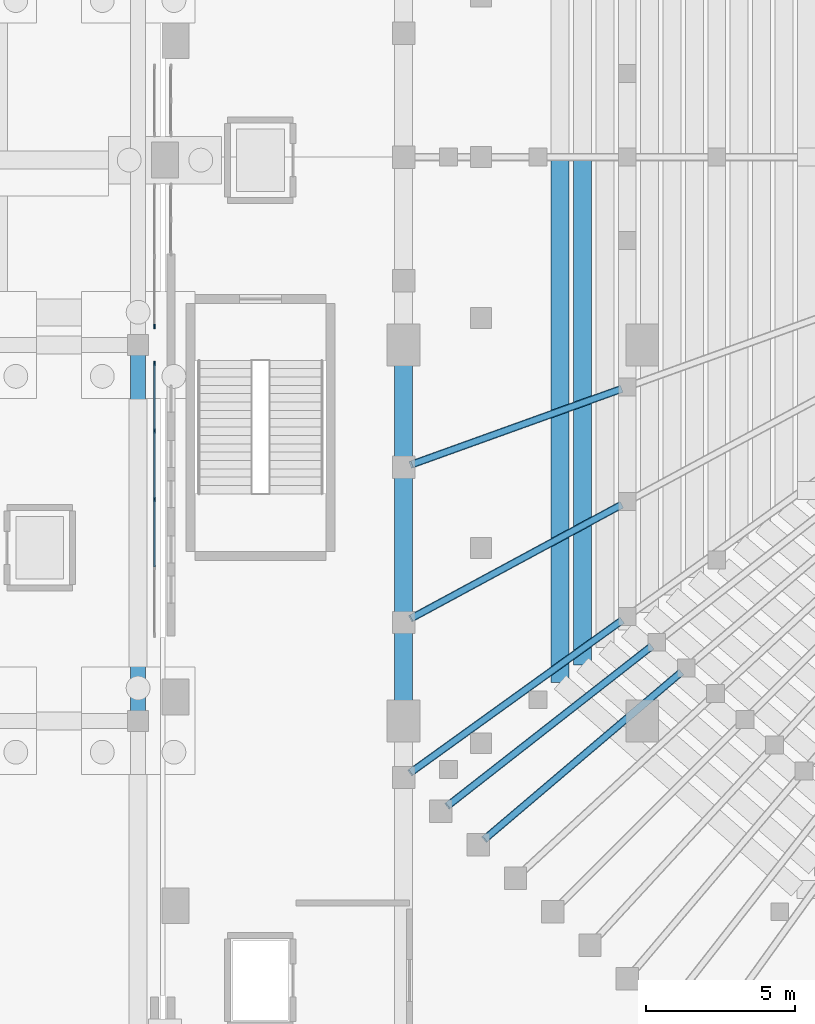
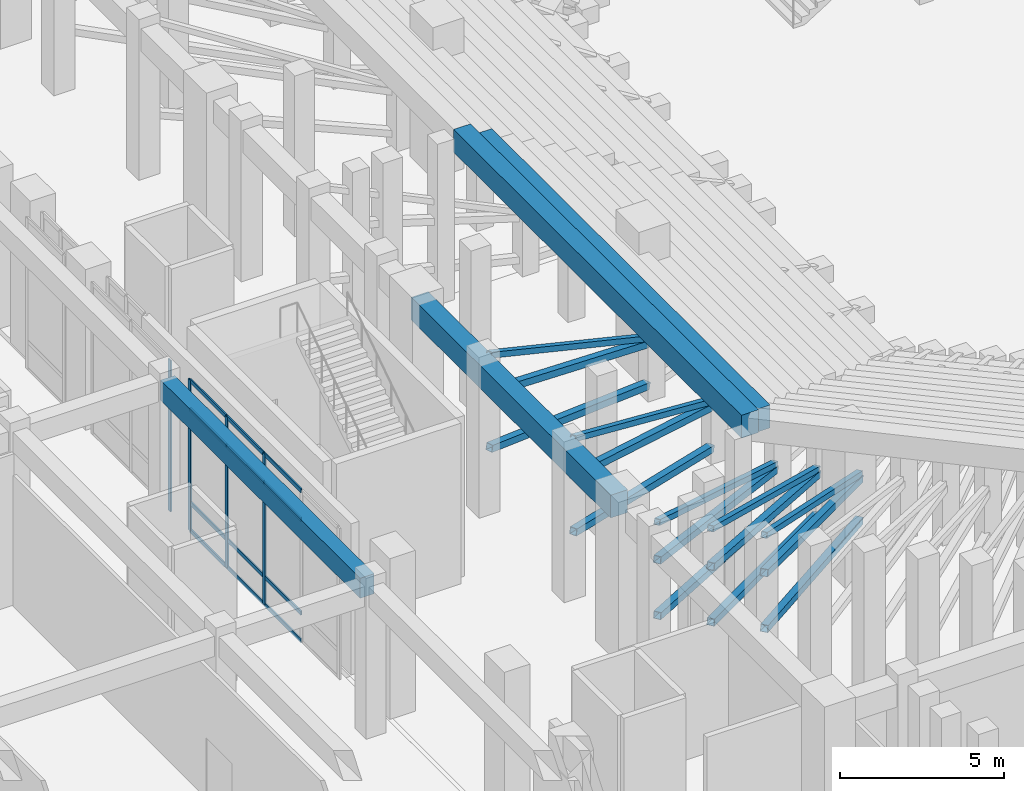
# One storey, part 30 of 143: 31 members, 4 beams, 2 elements without a shape of their own.
"""IFC4 building model written with IfcOpenShell, lengths in metres."""

from ifc_helpers import new_model, si_unit, derived_unit, direction, frame, origin, origin_2d, place, context, subcontext, project, spatial, rectangle, hollow_rectangle, extrude, material, layer, layer_set, material_profile, profile_set, type_object, element, aggregate, save


model = new_model("IFC4")

# Units and contexts
model_context = context("Model", 3, precision=1e-05, world=origin(), true_north=direction((0.0, 1.0)))
body_context = subcontext(model_context, "Body", "Model", "MODEL_VIEW")
ifc_project = project(units=[si_unit("LENGTHUNIT", "METRE"), si_unit("AREAUNIT", "SQUARE_METRE"), si_unit("VOLUMEUNIT", "CUBIC_METRE"), si_unit("PLANEANGLEUNIT", "RADIAN"), si_unit("MASSUNIT", "GRAM", prefix="KILO"), derived_unit("THERMALTRANSMITTANCEUNIT", [(si_unit("MASSUNIT", "GRAM", prefix="KILO"), 1), (si_unit("TIMEUNIT", "SECOND"), -3), (si_unit("THERMODYNAMICTEMPERATUREUNIT", "KELVIN"), -1)])], contexts=[model_context])

# Site, building, storey
site_placement = place(None, origin())
site = spatial("IfcSite", under=ifc_project, at=site_placement, CompositionType="ELEMENT")
building_placement = place(site_placement, origin())
building = spatial("IfcBuilding", under=site, at=building_placement, Name="Valcora Ridge Arena", CompositionType="ELEMENT")
storey_placement = place(building_placement, origin())
storey = spatial("IfcBuildingStorey", under=building, at=storey_placement, Name="L00", CompositionType="ELEMENT", Elevation=0.0)

# Beams
ifc_material_1 = material(Name="Concrete C40/50", Category="concrete")
ifc_material_profile_1 = material_profile(ifc_material_1, rectangle(XDim=0.5, YDim=0.75, at=origin_2d()), Name="RC 500x750")
ifc_profile_set_1 = profile_set([ifc_material_profile_1], Name="Concrete C40/50")
beam_type_1 = type_object("IfcBeamType", Name="TY-BEAM-B-RC500-Y", PredefinedType="BEAM", material=ifc_profile_set_1)
beam_1_placement = place(storey_placement, frame((15.10009765625, 45.39990234375, 5.264892578125), z_axis=(0.0, 1.0, 0.0), x_axis=(-1.0, 0.0, 0.0)))
element("IfcBeam", 1, at=beam_1_placement, inside=storey, type_object=beam_type_1, Name="B-RC500-Y BEM-B-RC500-Y-0020", PredefinedType="BEAM", context=body_context, shape_type="SweptSolid", body=[
    extrude(rectangle(XDim=0.5, YDim=0.75, at=origin_2d()), origin(), (0.0, 0.0, 1.0), 12.2001953125),
])
ifc_material_profile_2 = material_profile(ifc_material_1, rectangle(XDim=0.60009765625, YDim=0.85009765625, at=origin_2d()), Name="RC 600x850")
ifc_profile_set_2 = profile_set([ifc_material_profile_2], Name="Concrete C40/50")
beam_type_2 = type_object("IfcBeamType", Name="TY-BEAM-B-RC600-X", PredefinedType="BEAM", material=ifc_profile_set_2)
beam_2_placement = place(storey_placement, frame((30.0, 64.10009765625, 5.2548828125), z_axis=(0.0, -1.0, 0.0), x_axis=(1.0, 0.0, 0.0)))
element("IfcBeam", 2, at=beam_2_placement, inside=storey, type_object=beam_type_2, Name="B-RC600-X BEM-R2-B-RC600-X-0143", PredefinedType="BEAM", context=body_context, shape_type="SweptSolid", body=[
    extrude(rectangle(XDim=0.60009765625, YDim=0.85009765625, at=origin_2d()), origin(), (0.0, 0.0, 1.0), 17.02001953125),
])
beam_3_placement = place(storey_placement, frame((29.25, 64.10009765625, 5.695068359375), z_axis=(0.0, -1.0, 0.0), x_axis=(1.0, 0.0, 0.0)))
element("IfcBeam", 3, at=beam_3_placement, inside=storey, type_object=beam_type_2, Name="B-RC600-X BEM-R2-B-RC600-X-0155", PredefinedType="BEAM", context=body_context, shape_type="SweptSolid", body=[
    extrude(rectangle(XDim=0.60009765625, YDim=0.85009765625, at=origin_2d()), origin(), (0.0, 0.0, 1.0), 17.60498046875),
])
ifc_material_profile_3 = material_profile(ifc_material_1, rectangle(XDim=0.60009765625, YDim=0.85009765625, at=origin_2d()), Name="RC 600x850")
ifc_profile_set_3 = profile_set([ifc_material_profile_3], Name="Concrete C40/50")
beam_type_3 = type_object("IfcBeamType", Name="TY-BEAM-B-RC600-Y", PredefinedType="BEAM", material=ifc_profile_set_3)
beam_4_placement = place(storey_placement, frame((24.0, 45.39990234375, 5.215087890625), z_axis=(0.0, 1.0, 0.0), x_axis=(-1.0, 0.0, 0.0)))
element("IfcBeam", 4, at=beam_4_placement, inside=storey, type_object=beam_type_3, Name="B-RC600-Y BEM-B-RC600-Y-0002", PredefinedType="BEAM", context=body_context, shape_type="SweptSolid", body=[
    extrude(rectangle(XDim=0.60009765625, YDim=0.85009765625, at=origin_2d()), origin(), (0.0, 0.0, 1.0), 12.2001953125),
])

# Curtain wall, members
ifc_material_2 = material(Name="Anodised dark bronze architectural aluminium 6063-T6", Category="aluminium")
ifc_layer_1 = layer(ifc_material_2, 0.14990234375, Name="Anodised dark bronze architectural aluminium 6063-T6")
ifc_layer_set_1 = layer_set([ifc_layer_1], Name="Anodised dark bronze architectural aluminium 6063-T6")
curtain_wall_type_1 = type_object("IfcCurtainWallType", Name="TY-CURTAINWALL-CW-V4-CLUB-092X56", PredefinedType="NOTDEFINED", material=ifc_layer_set_1)
curtain_wall_1_placement = place(storey_placement, origin())
curtain_wall_1 = element("IfcCurtainWall", 5, at=curtain_wall_1_placement, inside=storey, type_object=curtain_wall_type_1, Name="CW-V4-CLUB-092X56 CW-0197", PredefinedType="NOTDEFINED")
ifc_material_profile_4 = material_profile(ifc_material_2, rectangle(XDim=0.050048828125, YDim=0.14990234375, at=origin_2d()), Name="ALU MULLION 50x150")
ifc_profile_set_4 = profile_set([ifc_material_profile_4], Name="Anodised dark bronze architectural aluminium 6063-T6")
member_type_1 = type_object("IfcMemberType", Name="TY-MEM-CWM-50x150", PredefinedType="MULLION", material=ifc_profile_set_4)
member_1_placement = place(storey_placement, frame((15.64990234375, 52.6298828125, 0.0), z_axis=(0.0, 0.0, 1.0), x_axis=(-1.0, 0.0, 0.0)))
member_1 = element("IfcMember", 6, at=member_1_placement, type_object=member_type_1, Name="CW-0197/CWM-50x150/M02", PredefinedType="MULLION", context=body_context, shape_type="SweptSolid", body=[
    extrude(rectangle(XDim=0.050048828125, YDim=0.14990234375, at=origin_2d()), origin(), (0.0, 0.0, 1.0), 5.639892578125),
])
member_2_placement = place(storey_placement, frame((15.64990234375, 54.919921875, 0.0), z_axis=(0.0, 0.0, 1.0), x_axis=(-1.0, 0.0, 0.0)))
member_2 = element("IfcMember", 7, at=member_2_placement, type_object=member_type_1, Name="CW-0197/CWM-50x150/M03", PredefinedType="MULLION", context=body_context, shape_type="SweptSolid", body=[
    extrude(rectangle(XDim=0.050048828125, YDim=0.14990234375, at=origin_2d()), origin(), (0.0, 0.0, 1.0), 5.639892578125),
])
member_3_placement = place(storey_placement, frame((15.64990234375, 57.18505859375, 0.0), z_axis=(0.0, 0.0, 1.0), x_axis=(-1.0, 0.0, 0.0)))
member_3 = element("IfcMember", 8, at=member_3_placement, type_object=member_type_1, Name="CW-0197/CWM-50x150/M04", PredefinedType="MULLION", context=body_context, shape_type="SweptSolid", body=[
    extrude(rectangle(XDim=0.050048828125, YDim=0.14990234375, at=origin_2d()), origin(), (0.0, 0.0, 1.0), 5.639892578125),
])

# Curtain wall, member
ifc_layer_2 = layer(ifc_material_2, 0.14990234375, Name="Anodised dark bronze architectural aluminium 6063-T6")
ifc_layer_set_2 = layer_set([ifc_layer_2], Name="Anodised dark bronze architectural aluminium 6063-T6")
curtain_wall_type_2 = type_object("IfcCurtainWallType", Name="TY-CURTAINWALL-CW-V4-CLUB-048X56", PredefinedType="NOTDEFINED", material=ifc_layer_set_2)
curtain_wall_2_placement = place(storey_placement, origin())
curtain_wall_2 = element("IfcCurtainWall", 9, at=curtain_wall_2_placement, inside=storey, type_object=curtain_wall_type_2, Name="CW-V4-CLUB-048X56 CW-0198", PredefinedType="NOTDEFINED")
member_4_placement = place(storey_placement, frame((15.64990234375, 58.4150390625, 0.0), z_axis=(0.0, 0.0, 1.0), x_axis=(-1.0, 0.0, 0.0)))
member_4 = element("IfcMember", 10, at=member_4_placement, type_object=member_type_1, Name="CW-0198/CWM-50x150/M00", PredefinedType="MULLION", context=body_context, shape_type="SweptSolid", body=[
    extrude(rectangle(XDim=0.050048828125, YDim=0.14990234375, at=origin_2d()), origin(), (0.0, 0.0, 1.0), 5.639892578125),
])
aggregate(curtain_wall_2, [member_4])

# Member
ifc_material_profile_5 = material_profile(ifc_material_2, rectangle(XDim=0.050048828125, YDim=0.14990234375, at=origin_2d()), Name="ALU TRANSOM 50x150")
ifc_profile_set_5 = profile_set([ifc_material_profile_5], Name="Anodised dark bronze architectural aluminium 6063-T6")
member_type_2 = type_object("IfcMemberType", Name="TY-MEM-CWT-50x150", PredefinedType="USERDEFINED", material=ifc_profile_set_5)
member_5_placement = place(storey_placement, frame((15.64990234375, 50.364990234375, 0.02490234375), z_axis=(0.0, 1.0, 0.0), x_axis=(-1.0, 0.0, 0.0)))
member_5 = element("IfcMember", 11, at=member_5_placement, type_object=member_type_2, Name="CW-0197/CWT-50x150/T01-00", ObjectType="TRANSOM", PredefinedType="USERDEFINED", context=body_context, shape_type="SweptSolid", body=[
    extrude(rectangle(XDim=0.050048828125, YDim=0.14990234375, at=origin_2d()), origin(), (0.0, 0.0, 1.0), 2.239990234375),
])

member_6_placement = place(storey_placement, frame((15.64990234375, 50.364990234375, 1.050048828125), z_axis=(0.0, 1.0, 0.0), x_axis=(-1.0, 0.0, 0.0)))
member_6 = element("IfcMember", 12, at=member_6_placement, type_object=member_type_2, Name="CW-0197/CWT-50x150/T01-01", ObjectType="TRANSOM", PredefinedType="USERDEFINED", context=body_context, shape_type="SweptSolid", body=[
    extrude(rectangle(XDim=0.050048828125, YDim=0.14990234375, at=origin_2d()), origin(), (0.0, 0.0, 1.0), 2.239990234375),
])

member_7_placement = place(storey_placement, frame((15.64990234375, 50.364990234375, 4.5400390625), z_axis=(0.0, 1.0, 0.0), x_axis=(-1.0, 0.0, 0.0)))
member_7 = element("IfcMember", 13, at=member_7_placement, type_object=member_type_2, Name="CW-0197/CWT-50x150/T01-02", ObjectType="TRANSOM", PredefinedType="USERDEFINED", context=body_context, shape_type="SweptSolid", body=[
    extrude(rectangle(XDim=0.050048828125, YDim=0.14990234375, at=origin_2d()), origin(), (0.0, 0.0, 1.0), 2.239990234375),
])

member_8_placement = place(storey_placement, frame((15.64990234375, 50.364990234375, 5.614990234375), z_axis=(0.0, 1.0, 0.0), x_axis=(-1.0, 0.0, 0.0)))
member_8 = element("IfcMember", 14, at=member_8_placement, type_object=member_type_2, Name="CW-0197/CWT-50x150/T01-03", ObjectType="TRANSOM", PredefinedType="USERDEFINED", context=body_context, shape_type="SweptSolid", body=[
    extrude(rectangle(XDim=0.050048828125, YDim=0.14990234375, at=origin_2d()), origin(), (0.0, 0.0, 1.0), 2.239990234375),
])

member_9_placement = place(storey_placement, frame((15.64990234375, 52.655029296875, 0.02490234375), z_axis=(0.0, 1.0, 0.0), x_axis=(-1.0, 0.0, 0.0)))
member_9 = element("IfcMember", 15, at=member_9_placement, type_object=member_type_2, Name="CW-0197/CWT-50x150/T02-00", ObjectType="TRANSOM", PredefinedType="USERDEFINED", context=body_context, shape_type="SweptSolid", body=[
    extrude(rectangle(XDim=0.050048828125, YDim=0.14990234375, at=origin_2d()), origin(), (0.0, 0.0, 1.0), 2.239990234375),
])

member_10_placement = place(storey_placement, frame((15.64990234375, 52.655029296875, 1.050048828125), z_axis=(0.0, 1.0, 0.0), x_axis=(-1.0, 0.0, 0.0)))
member_10 = element("IfcMember", 16, at=member_10_placement, type_object=member_type_2, Name="CW-0197/CWT-50x150/T02-01", ObjectType="TRANSOM", PredefinedType="USERDEFINED", context=body_context, shape_type="SweptSolid", body=[
    extrude(rectangle(XDim=0.050048828125, YDim=0.14990234375, at=origin_2d()), origin(), (0.0, 0.0, 1.0), 2.239990234375),
])

member_11_placement = place(storey_placement, frame((15.64990234375, 52.655029296875, 4.5400390625), z_axis=(0.0, 1.0, 0.0), x_axis=(-1.0, 0.0, 0.0)))
member_11 = element("IfcMember", 17, at=member_11_placement, type_object=member_type_2, Name="CW-0197/CWT-50x150/T02-02", ObjectType="TRANSOM", PredefinedType="USERDEFINED", context=body_context, shape_type="SweptSolid", body=[
    extrude(rectangle(XDim=0.050048828125, YDim=0.14990234375, at=origin_2d()), origin(), (0.0, 0.0, 1.0), 2.239990234375),
])

member_12_placement = place(storey_placement, frame((15.64990234375, 52.655029296875, 5.614990234375), z_axis=(0.0, 1.0, 0.0), x_axis=(-1.0, 0.0, 0.0)))
member_12 = element("IfcMember", 18, at=member_12_placement, type_object=member_type_2, Name="CW-0197/CWT-50x150/T02-03", ObjectType="TRANSOM", PredefinedType="USERDEFINED", context=body_context, shape_type="SweptSolid", body=[
    extrude(rectangle(XDim=0.050048828125, YDim=0.14990234375, at=origin_2d()), origin(), (0.0, 0.0, 1.0), 2.239990234375),
])

member_13_placement = place(storey_placement, frame((15.64990234375, 54.945068359375, 0.02490234375), z_axis=(0.0, 1.0, 0.0), x_axis=(-1.0, 0.0, 0.0)))
member_13 = element("IfcMember", 19, at=member_13_placement, type_object=member_type_2, Name="CW-0197/CWT-50x150/T03-00", ObjectType="TRANSOM", PredefinedType="USERDEFINED", context=body_context, shape_type="SweptSolid", body=[
    extrude(rectangle(XDim=0.050048828125, YDim=0.14990234375, at=origin_2d()), origin(), (0.0, 0.0, 1.0), 2.21484375),
])

member_14_placement = place(storey_placement, frame((15.64990234375, 54.945068359375, 1.050048828125), z_axis=(0.0, 1.0, 0.0), x_axis=(-1.0, 0.0, 0.0)))
member_14 = element("IfcMember", 20, at=member_14_placement, type_object=member_type_2, Name="CW-0197/CWT-50x150/T03-01", ObjectType="TRANSOM", PredefinedType="USERDEFINED", context=body_context, shape_type="SweptSolid", body=[
    extrude(rectangle(XDim=0.050048828125, YDim=0.14990234375, at=origin_2d()), origin(), (0.0, 0.0, 1.0), 2.21484375),
])

member_15_placement = place(storey_placement, frame((15.64990234375, 54.945068359375, 4.5400390625), z_axis=(0.0, 1.0, 0.0), x_axis=(-1.0, 0.0, 0.0)))
member_15 = element("IfcMember", 21, at=member_15_placement, type_object=member_type_2, Name="CW-0197/CWT-50x150/T03-02", ObjectType="TRANSOM", PredefinedType="USERDEFINED", context=body_context, shape_type="SweptSolid", body=[
    extrude(rectangle(XDim=0.050048828125, YDim=0.14990234375, at=origin_2d()), origin(), (0.0, 0.0, 1.0), 2.21484375),
])

member_16_placement = place(storey_placement, frame((15.64990234375, 54.945068359375, 5.614990234375), z_axis=(0.0, 1.0, 0.0), x_axis=(-1.0, 0.0, 0.0)))
member_16 = element("IfcMember", 22, at=member_16_placement, type_object=member_type_2, Name="CW-0197/CWT-50x150/T03-03", ObjectType="TRANSOM", PredefinedType="USERDEFINED", context=body_context, shape_type="SweptSolid", body=[
    extrude(rectangle(XDim=0.050048828125, YDim=0.14990234375, at=origin_2d()), origin(), (0.0, 0.0, 1.0), 2.21484375),
])

aggregate(curtain_wall_1, [member_1, member_2, member_3, member_5, member_6, member_7, member_8, member_9, member_10, member_11, member_12, member_13, member_14, member_15, member_16])

# Members
ifc_material_3 = material(Name="Steel ASTM A500 Grade C", Category="steel")
ifc_material_profile_6 = material_profile(ifc_material_3, hollow_rectangle(XDim=0.25, YDim=0.25, WallThickness=0.012451171875, at=origin_2d()), Name="HSS250X250X12")
ifc_profile_set_6 = profile_set([ifc_material_profile_6], Name="Steel ASTM A500 Grade C")
member_type_3 = type_object("IfcMemberType", Name="TY-MEMBER-RKRC-252", PredefinedType="CHORD", material=ifc_profile_set_6)
member_17_placement = place(storey_placement, frame((31.282958984375, 56.322021484375, 2.06640625), z_axis=(-0.903990893844, -0.325473140115, 0.277250246007), x_axis=(0.338753023532, -0.940875331299, 0.0)))
element("IfcMember", 23, at=member_17_placement, inside=storey, type_object=member_type_3, Name="RKRC-252 MBR-RK-RKRC-252-0051", PredefinedType="CHORD", context=body_context, shape_type="SweptSolid", body=[
    extrude(hollow_rectangle(XDim=0.25, YDim=0.25, WallThickness=0.012451171875, at=origin_2d()), origin(), (0.0, 0.0, 1.0), 7.7763671875),
])
member_18_placement = place(storey_placement, frame((31.296142578125, 52.43994140625, 2.0625), z_axis=(-0.8495205311, -0.458742849833, 0.260518454178), x_axis=(0.475150328559, -0.87990463419, 0.0)))
element("IfcMember", 24, at=member_18_placement, inside=storey, type_object=member_type_3, Name="RKRC-252 MBR-RK-RKRC-252-0052", PredefinedType="CHORD", context=body_context, shape_type="SweptSolid", body=[
    extrude(hollow_rectangle(XDim=0.25, YDim=0.25, WallThickness=0.012451171875, at=origin_2d()), origin(), (0.0, 0.0, 1.0), 8.30859375),
])
member_19_placement = place(storey_placement, frame((31.31103515625, 48.56396484375, 2.05810546875), z_axis=(-0.787514994452, -0.567011880625, 0.241490498247), x_axis=(0.584305461948, -0.811533811457, 0.0)))
element("IfcMember", 25, at=member_19_placement, inside=storey, type_object=member_type_3, Name="RKRC-252 MBR-RK-RKRC-252-0053", PredefinedType="CHORD", context=body_context, shape_type="SweptSolid", body=[
    extrude(hollow_rectangle(XDim=0.25, YDim=0.25, WallThickness=0.012451171875, at=origin_2d()), origin(), (0.0, 0.0, 1.0), 9.003662109375),
])
member_20_placement = place(storey_placement, frame((32.30419921875, 47.694091796875, 2.058349609375), z_axis=(-0.764025690394, -0.597765977555, 0.242776812106), x_axis=(0.616201384896, -0.787588631998, 0.0)))
element("IfcMember", 26, at=member_20_placement, inside=storey, type_object=member_type_3, Name="RKRC-252 MBR-RK-RKRC-252-0054", PredefinedType="CHORD", context=body_context, shape_type="SweptSolid", body=[
    extrude(hollow_rectangle(XDim=0.25, YDim=0.25, WallThickness=0.012451171875, at=origin_2d()), origin(), (0.0, 0.0, 1.0), 8.953125),
])
member_21_placement = place(storey_placement, frame((33.297607421875, 46.82421875, 2.05859375), z_axis=(-0.739162342875, -0.627884115001, 0.243722319464), x_axis=(0.647406626108, -0.762144776582, 0.0)))
element("IfcMember", 27, at=member_21_placement, inside=storey, type_object=member_type_3, Name="RKRC-252 MBR-RK-RKRC-252-0055", PredefinedType="CHORD", context=body_context, shape_type="SweptSolid", body=[
    extrude(hollow_rectangle(XDim=0.25, YDim=0.25, WallThickness=0.012451171875, at=origin_2d()), origin(), (0.0, 0.0, 1.0), 8.916259765625),
])
ifc_material_profile_7 = material_profile(ifc_material_3, hollow_rectangle(XDim=0.25, YDim=0.25, WallThickness=0.012451171875, at=origin_2d()), Name="HSS250X250X12")
ifc_profile_set_7 = profile_set([ifc_material_profile_7], Name="Steel ASTM A500 Grade C")
member_type_4 = type_object("IfcMemberType", Name="TY-MEMBER-RKRC-255", PredefinedType="CHORD", material=ifc_profile_set_7)
member_22_placement = place(storey_placement, frame((31.279296875, 56.320556640625, 0.50146484375), z_axis=(-0.91899526261, -0.330860021706, 0.214427967713), x_axis=(0.338739160639, -0.940880322384, 0.0)))
element("IfcMember", 28, at=member_22_placement, inside=storey, type_object=member_type_4, Name="RKRC-255 MBR-RK-RKRC-255-0051", PredefinedType="CHORD", context=body_context, shape_type="SweptSolid", body=[
    extrude(hollow_rectangle(XDim=0.25, YDim=0.25, WallThickness=0.012451171875, at=origin_2d()), origin(), (0.0, 0.0, 1.0), 7.640869140625),
])
member_23_placement = place(storey_placement, frame((31.293212890625, 52.438232421875, 0.498291015625), z_axis=(-0.861936544086, -0.465418877553, 0.201123500334), x_axis=(0.475127687835, -0.879916859852, 0.0)))
element("IfcMember", 29, at=member_23_placement, inside=storey, type_object=member_type_4, Name="RKRC-255 MBR-RK-RKRC-255-0052", PredefinedType="CHORD", context=body_context, shape_type="SweptSolid", body=[
    extrude(hollow_rectangle(XDim=0.25, YDim=0.25, WallThickness=0.012451171875, at=origin_2d()), origin(), (0.0, 0.0, 1.0), 8.181640625),
])
member_24_placement = place(storey_placement, frame((31.30859375, 48.562255859375, 0.49462890625), z_axis=(-0.797352064802, -0.57411766466, 0.186060720955), x_axis=(0.584320932062, -0.81152267273, 0.0)))
element("IfcMember", 30, at=member_24_placement, inside=storey, type_object=member_type_4, Name="RKRC-255 MBR-RK-RKRC-255-0053", PredefinedType="CHORD", context=body_context, shape_type="SweptSolid", body=[
    extrude(hollow_rectangle(XDim=0.25, YDim=0.25, WallThickness=0.012451171875, at=origin_2d()), origin(), (0.0, 0.0, 1.0), 8.885986328125),
])
member_25_placement = place(storey_placement, frame((32.3017578125, 47.692138671875, 0.494873046875), z_axis=(-0.773690058732, -0.605311535038, 0.187087248549), x_axis=(0.616191441722, -0.787596411335, 0.0)))
element("IfcMember", 31, at=member_25_placement, inside=storey, type_object=member_type_4, Name="RKRC-255 MBR-RK-RKRC-255-0054", PredefinedType="CHORD", context=body_context, shape_type="SweptSolid", body=[
    extrude(hollow_rectangle(XDim=0.25, YDim=0.25, WallThickness=0.012451171875, at=origin_2d()), origin(), (0.0, 0.0, 1.0), 8.83447265625),
])
member_26_placement = place(storey_placement, frame((33.29541015625, 46.822509765625, 0.4951171875), z_axis=(-0.748568418608, -0.635901587114, 0.187815053091), x_axis=(0.647422857925, -0.762130988109, 0.0)))
element("IfcMember", 32, at=member_26_placement, inside=storey, type_object=member_type_4, Name="RKRC-255 MBR-RK-RKRC-255-0055", PredefinedType="CHORD", context=body_context, shape_type="SweptSolid", body=[
    extrude(hollow_rectangle(XDim=0.25, YDim=0.25, WallThickness=0.012451171875, at=origin_2d()), origin(), (0.0, 0.0, 1.0), 8.797607421875),
])
ifc_material_profile_8 = material_profile(ifc_material_3, hollow_rectangle(XDim=0.199951171875, YDim=0.199951171875, WallThickness=0.012451171875, at=origin_2d()), Name="HSS200X200X12")
ifc_profile_set_8 = profile_set([ifc_material_profile_8], Name="Steel ASTM A500 Grade C")
member_type_5 = type_object("IfcMemberType", Name="TY-MEMBER-RKRD-202", PredefinedType="BRACE", material=ifc_profile_set_8)
member_27_placement = place(storey_placement, frame((31.294189453125, 56.325927734375, 2.248779296875), z_axis=(-0.857492925697, -0.308702201603, 0.411593043071), x_axis=(0.338724080643, -0.940885751403, 0.0)))
element("IfcMember", 33, at=member_27_placement, inside=storey, type_object=member_type_5, Name="RKRD-202 Raker Diagonal Brace", PredefinedType="BRACE", context=body_context, shape_type="SweptSolid", body=[
    extrude(hollow_rectangle(XDim=0.199951171875, YDim=0.199951171875, WallThickness=0.012451171875, at=origin_2d()), origin(), (0.0, 0.0, 1.0), 8.2265625),
])
member_28_placement = place(storey_placement, frame((31.305419921875, 52.44482421875, 2.243408203125), z_axis=(-0.810573016604, -0.437703278307, 0.389085112685), x_axis=(0.475143745342, -0.87990818911, 0.0)))
element("IfcMember", 34, at=member_28_placement, inside=storey, type_object=member_type_5, Name="RKRD-202 Raker Diagonal Brace", PredefinedType="BRACE", context=body_context, shape_type="SweptSolid", body=[
    extrude(hollow_rectangle(XDim=0.199951171875, YDim=0.199951171875, WallThickness=0.012451171875, at=origin_2d()), origin(), (0.0, 0.0, 1.0), 8.732666015625),
])
member_29_placement = place(storey_placement, frame((31.318603515625, 48.5693359375, 2.237060546875), z_axis=(-0.756188968003, -0.544450861573, 0.362975900031), x_axis=(0.584301053778, -0.811536985327, 0.0)))
element("IfcMember", 35, at=member_29_placement, inside=storey, type_object=member_type_5, Name="RKRD-202 Raker Diagonal Brace", PredefinedType="BRACE", context=body_context, shape_type="SweptSolid", body=[
    extrude(hollow_rectangle(XDim=0.199951171875, YDim=0.199951171875, WallThickness=0.012451171875, at=origin_2d()), origin(), (0.0, 0.0, 1.0), 9.3984375),
])
member_30_placement = place(storey_placement, frame((32.3115234375, 47.69970703125, 2.237548828125), z_axis=(-0.733331916683, -0.573729143662, 0.364772764454), x_axis=(0.616186504834, -0.787600273781, 0.0)))
element("IfcMember", 36, at=member_30_placement, inside=storey, type_object=member_type_5, Name="RKRD-202 Raker Diagonal Brace", PredefinedType="BRACE", context=body_context, shape_type="SweptSolid", body=[
    extrude(hollow_rectangle(XDim=0.199951171875, YDim=0.199951171875, WallThickness=0.012451171875, at=origin_2d()), origin(), (0.0, 0.0, 1.0), 9.349365234375),
])
member_31_placement = place(storey_placement, frame((33.3046875, 46.830322265625, 2.23779296875), z_axis=(-0.709248372862, -0.602464017526, 0.36606536736), x_axis=(0.64740065391, -0.762149849647, 0.0)))
element("IfcMember", 37, at=member_31_placement, inside=storey, type_object=member_type_5, Name="RKRD-202 Raker Diagonal Brace", PredefinedType="BRACE", context=body_context, shape_type="SweptSolid", body=[
    extrude(hollow_rectangle(XDim=0.199951171875, YDim=0.199951171875, WallThickness=0.012451171875, at=origin_2d()), origin(), (0.0, 0.0, 1.0), 9.314453125),
])

save(model, "model.ifc")
